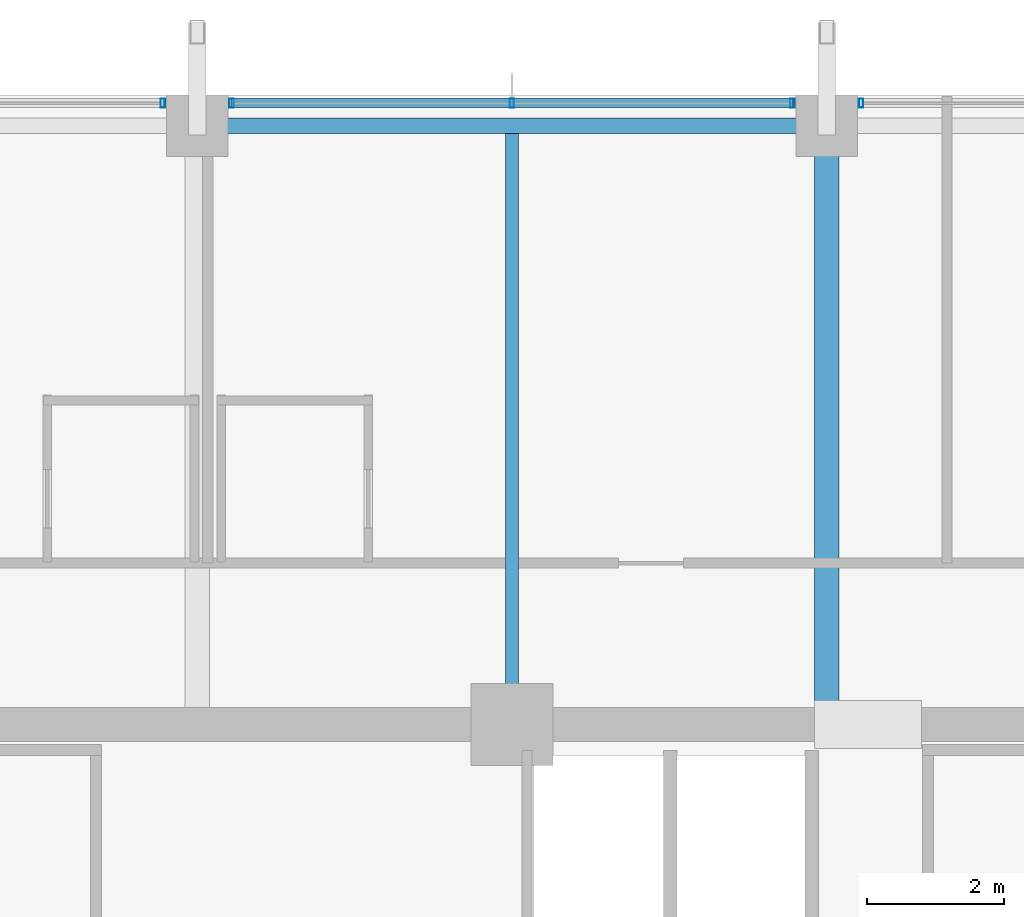
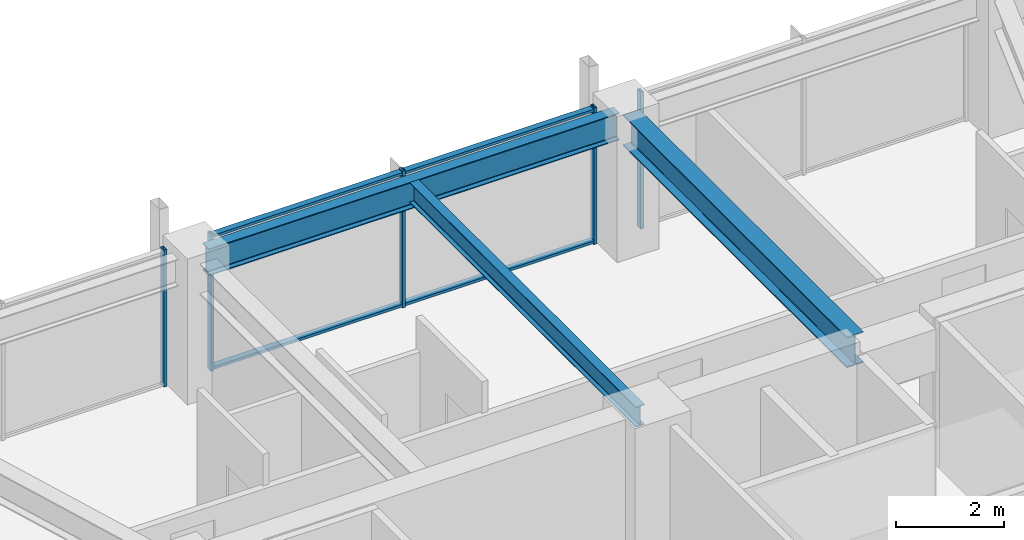
# One storey, part 21 of 35: 7 members, 3 beams, 3 elements without a shape of their own.
"""IFC4 building model written with IfcOpenShell, lengths in metres."""

from ifc_helpers import new_model, si_unit, direction, frame, origin, origin_2d, place, context, subcontext, project, spatial, hollow_rectangle, i_section, extrude, material, material_profile, profile_set, type_object, element, aggregate, save


model = new_model("IFC4")

# Units and contexts
model_context = context("Model", 3, precision=1e-05, world=origin(), true_north=direction((0.0, 1.0)))
body_context = subcontext(model_context, "Body", "Model", "MODEL_VIEW")
ifc_project = project(units=[si_unit("LENGTHUNIT", "METRE"), si_unit("AREAUNIT", "SQUARE_METRE"), si_unit("VOLUMEUNIT", "CUBIC_METRE"), si_unit("PLANEANGLEUNIT", "RADIAN"), si_unit("MASSUNIT", "GRAM", prefix="KILO")], contexts=[model_context])

# Site, building, storey
site_placement = place(None, origin())
site = spatial("IfcSite", under=ifc_project, at=site_placement, CompositionType="ELEMENT")
building_placement = place(site_placement, origin())
building = spatial("IfcBuilding", under=site, at=building_placement, Name="Kolvaren Belvedere", CompositionType="ELEMENT")
storey_placement = place(building_placement, frame((0.0, 0.0, 163.5)))
storey = spatial("IfcBuildingStorey", under=building, at=storey_placement, Name="L47", CompositionType="ELEMENT", Elevation=163.5)

# Beams
ifc_material_1 = material(Name="Structural steel ASTM A992 Grade 50", Category="steel")
ifc_material_profile_1 = material_profile(ifc_material_1, i_section(OverallWidth=0.35498046875, OverallDepth=0.696044921875, WebThickness=0.015380859375, FlangeThickness=0.02490234375, FilletRadius=0.02197265625, at=origin_2d()), Name="W27X146")
ifc_profile_set_1 = profile_set([ifc_material_profile_1], Name="Structural steel ASTM A992 Grade 50")
beam_type_1 = type_object("IfcBeamType", Name="BM-GIRD-W27X146", PredefinedType="BEAM", material=ifc_profile_set_1)
beam_1_placement = place(storey_placement, frame((4.60009765625, 10.14990234375, 2.751953125), z_axis=(0.0, 1.0, 0.0), x_axis=(-1.0, 0.0, 0.0)))
element("IfcBeam", 1, at=beam_1_placement, inside=storey, type_object=beam_type_1, Name="L47 North Radial Girder P", PredefinedType="BEAM", context=body_context, shape_type="SweptSolid", body=[
    extrude(i_section(OverallWidth=0.35498046875, OverallDepth=0.696044921875, WebThickness=0.015380859375, FlangeThickness=0.02490234375, FilletRadius=0.02197265625, at=origin_2d()), origin(), (0.0, 0.0, 1.0), 8.297607421875),
])
ifc_material_2 = material(Name="Structural steel ASTM A992 Grade 50", Category="steel")
ifc_material_profile_2 = material_profile(ifc_material_2, i_section(OverallWidth=0.19091796875, OverallDepth=0.4599609375, WebThickness=0.010009765625, FlangeThickness=0.01611328125, FilletRadius=0.014892578125, at=origin_2d()), Name="W18X55")
ifc_profile_set_2 = profile_set([ifc_material_profile_2], Name="Structural steel ASTM A992 Grade 50")
beam_type_2 = type_object("IfcBeamType", Name="BM-JOIST-W18X55", PredefinedType="BEAM", material=ifc_profile_set_2)
beam_2_placement = place(storey_placement, frame((0.0, 10.14990234375, 2.8701171875), z_axis=(0.0, 1.0, 0.0), x_axis=(-1.0, 0.0, 0.0)))
element("IfcBeam", 2, at=beam_2_placement, inside=storey, type_object=beam_type_2, Name="L47 North Centre Floor Beam", PredefinedType="BEAM", context=body_context, shape_type="SweptSolid", body=[
    extrude(i_section(OverallWidth=0.19091796875, OverallDepth=0.4599609375, WebThickness=0.010009765625, FlangeThickness=0.01611328125, FilletRadius=0.014892578125, at=origin_2d()), origin(), (0.0, 0.0, 1.0), 8.385498046875),
])
ifc_material_3 = material(Name="Structural steel ASTM A992 Grade 50", Category="steel")
ifc_material_profile_3 = material_profile(ifc_material_3, i_section(OverallWidth=0.22900390625, OverallDepth=0.612060546875, WebThickness=0.011962890625, FlangeThickness=0.01953125, FilletRadius=0.01806640625, at=origin_2d()), Name="W24X84")
ifc_profile_set_3 = profile_set([ifc_material_profile_3], Name="Structural steel ASTM A992 Grade 50")
beam_type_3 = type_object("IfcBeamType", Name="BM-SPAN-W24X84", PredefinedType="SPANDREL", material=ifc_profile_set_3)
beam_3_placement = place(storey_placement, frame((4.3974609375, 18.64990234375, 2.7939453125), z_axis=(-1.0, 0.0, 0.0), x_axis=(0.0, -1.0, 0.0)))
element("IfcBeam", 3, at=beam_3_placement, inside=storey, type_object=beam_type_3, Name="L47 Perimeter Spandrel N3-N2", PredefinedType="SPANDREL", context=body_context, shape_type="SweptSolid", body=[
    extrude(i_section(OverallWidth=0.22900390625, OverallDepth=0.612060546875, WebThickness=0.011962890625, FlangeThickness=0.01953125, FilletRadius=0.01806640625, at=origin_2d()), origin(), (0.0, 0.0, 1.0), 8.794921875),
])

# Curtain wall, member
ifc_material_4 = material(Name="Anodised pale-metal aluminium AA 6063-T6", Category="aluminium")
curtain_wall_type = type_object("IfcCurtainWallType", Name="CW-Z3-WAIST", PredefinedType="NOTDEFINED", material=ifc_material_4)
curtain_wall_1_placement = place(storey_placement, origin())
curtain_wall_1 = element("IfcCurtainWall", 4, at=curtain_wall_1_placement, inside=storey, type_object=curtain_wall_type, Name="L47 Unitised Curtain Wall FCW-L47-N-B1", PredefinedType="NOTDEFINED")
ifc_material_5 = material(Name="Anodised pale-metal aluminium AA 6063-T6", Category="aluminium")
ifc_material_profile_4 = material_profile(ifc_material_5, hollow_rectangle(XDim=0.06494140625, YDim=0.1298828125, WallThickness=0.00390625, at=origin_2d()), Name="ALU-MUL-130X65")
ifc_profile_set_4 = profile_set([ifc_material_profile_4], Name="Anodised pale-metal aluminium AA 6063-T6")
member_type_1 = type_object("IfcMemberType", Name="CW-MUL-130", PredefinedType="MULLION", material=ifc_profile_set_4)
member_1_placement = place(storey_placement, frame((-5.1025390625, 18.97998046875, 0.0), z_axis=(0.0, 0.0, 1.0), x_axis=(1.0, 0.0, 0.0)))
member_1 = element("IfcMember", 5, at=member_1_placement, type_object=member_type_1, Name="FCW-L47-N-B1 Unitised Mullion 3", PredefinedType="MULLION", context=body_context, shape_type="SweptSolid", body=[
    extrude(hollow_rectangle(XDim=0.06494140625, YDim=0.1298828125, WallThickness=0.00390625, at=origin_2d()), origin(), (0.0, 0.0, 1.0), 3.10009765625),
])
aggregate(curtain_wall_1, [member_1])

# Curtain wall, members
curtain_wall_2_placement = place(storey_placement, origin())
curtain_wall_2 = element("IfcCurtainWall", 6, at=curtain_wall_2_placement, inside=storey, type_object=curtain_wall_type, Name="L47 Unitised Curtain Wall FCW-L47-N-B2", PredefinedType="NOTDEFINED")
member_2_placement = place(storey_placement, frame((-4.097412109375, 18.97998046875, 0.0), z_axis=(0.0, 0.0, 1.0), x_axis=(1.0, 0.0, 0.0)))
member_2 = element("IfcMember", 7, at=member_2_placement, type_object=member_type_1, Name="FCW-L47-N-B2 Unitised Mullion 1", PredefinedType="MULLION", context=body_context, shape_type="SweptSolid", body=[
    extrude(hollow_rectangle(XDim=0.06494140625, YDim=0.1298828125, WallThickness=0.00390625, at=origin_2d()), origin(), (0.0, 0.0, 1.0), 3.10009765625),
])
member_3_placement = place(storey_placement, frame((0.0, 18.97998046875, 0.0), z_axis=(0.0, 0.0, 1.0), x_axis=(1.0, 0.0, 0.0)))
member_3 = element("IfcMember", 8, at=member_3_placement, type_object=member_type_1, Name="FCW-L47-N-B2 Unitised Mullion 2", PredefinedType="MULLION", context=body_context, shape_type="SweptSolid", body=[
    extrude(hollow_rectangle(XDim=0.06494140625, YDim=0.1298828125, WallThickness=0.00390625, at=origin_2d()), origin(), (0.0, 0.0, 1.0), 3.10009765625),
])
member_4_placement = place(storey_placement, frame((4.097412109375, 18.97998046875, 0.0), z_axis=(0.0, 0.0, 1.0), x_axis=(1.0, 0.0, 0.0)))
member_4 = element("IfcMember", 9, at=member_4_placement, type_object=member_type_1, Name="FCW-L47-N-B2 Unitised Mullion 3", PredefinedType="MULLION", context=body_context, shape_type="SweptSolid", body=[
    extrude(hollow_rectangle(XDim=0.06494140625, YDim=0.1298828125, WallThickness=0.00390625, at=origin_2d()), origin(), (0.0, 0.0, 1.0), 3.10009765625),
])

# Curtain wall, member
curtain_wall_3_placement = place(storey_placement, origin())
curtain_wall_3 = element("IfcCurtainWall", 10, at=curtain_wall_3_placement, inside=storey, type_object=curtain_wall_type, Name="L47 Unitised Curtain Wall FCW-L47-N-B3", PredefinedType="NOTDEFINED")
member_5_placement = place(storey_placement, frame((5.1025390625, 18.97998046875, 0.0), z_axis=(0.0, 0.0, 1.0), x_axis=(1.0, 0.0, 0.0)))
member_5 = element("IfcMember", 11, at=member_5_placement, type_object=member_type_1, Name="FCW-L47-N-B3 Unitised Mullion 1", PredefinedType="MULLION", context=body_context, shape_type="SweptSolid", body=[
    extrude(hollow_rectangle(XDim=0.06494140625, YDim=0.1298828125, WallThickness=0.00390625, at=origin_2d()), origin(), (0.0, 0.0, 1.0), 3.10009765625),
])
aggregate(curtain_wall_3, [member_5])

# Member
ifc_material_6 = material(Name="Anodised pale-metal aluminium AA 6063-T6", Category="aluminium")
ifc_material_profile_5 = material_profile(ifc_material_6, hollow_rectangle(XDim=0.06005859375, YDim=0.1298828125, WallThickness=0.00390625, at=origin_2d()), Name="ALU-TRN-130X60")
ifc_profile_set_5 = profile_set([ifc_material_profile_5], Name="Anodised pale-metal aluminium AA 6063-T6")
member_type_2 = type_object("IfcMemberType", Name="CW-TRN-130", PredefinedType="USERDEFINED", material=ifc_profile_set_5)
member_6_placement = place(storey_placement, frame((-4.097412109375, 18.97998046875, 0.06005859375), z_axis=(1.0, 0.0, 0.0), x_axis=(0.0, 0.0, 1.0)))
member_6 = element("IfcMember", 12, at=member_6_placement, type_object=member_type_2, Name="FCW-L47-N-B2 Sill Transom", ObjectType="TRANSOM", PredefinedType="USERDEFINED", context=body_context, shape_type="SweptSolid", body=[
    extrude(hollow_rectangle(XDim=0.06005859375, YDim=0.1298828125, WallThickness=0.00390625, at=origin_2d()), origin(), (0.0, 0.0, 1.0), 8.19482421875),
])

member_7_placement = place(storey_placement, frame((-4.097412109375, 18.97998046875, 3.0400390625), z_axis=(1.0, 0.0, 0.0), x_axis=(0.0, 0.0, 1.0)))
member_7 = element("IfcMember", 13, at=member_7_placement, type_object=member_type_2, Name="FCW-L47-N-B2 Head Transom", ObjectType="TRANSOM", PredefinedType="USERDEFINED", context=body_context, shape_type="SweptSolid", body=[
    extrude(hollow_rectangle(XDim=0.06005859375, YDim=0.1298828125, WallThickness=0.00390625, at=origin_2d()), origin(), (0.0, 0.0, 1.0), 8.19482421875),
])

aggregate(curtain_wall_2, [member_2, member_3, member_4, member_6, member_7])

save(model, "model.ifc")
